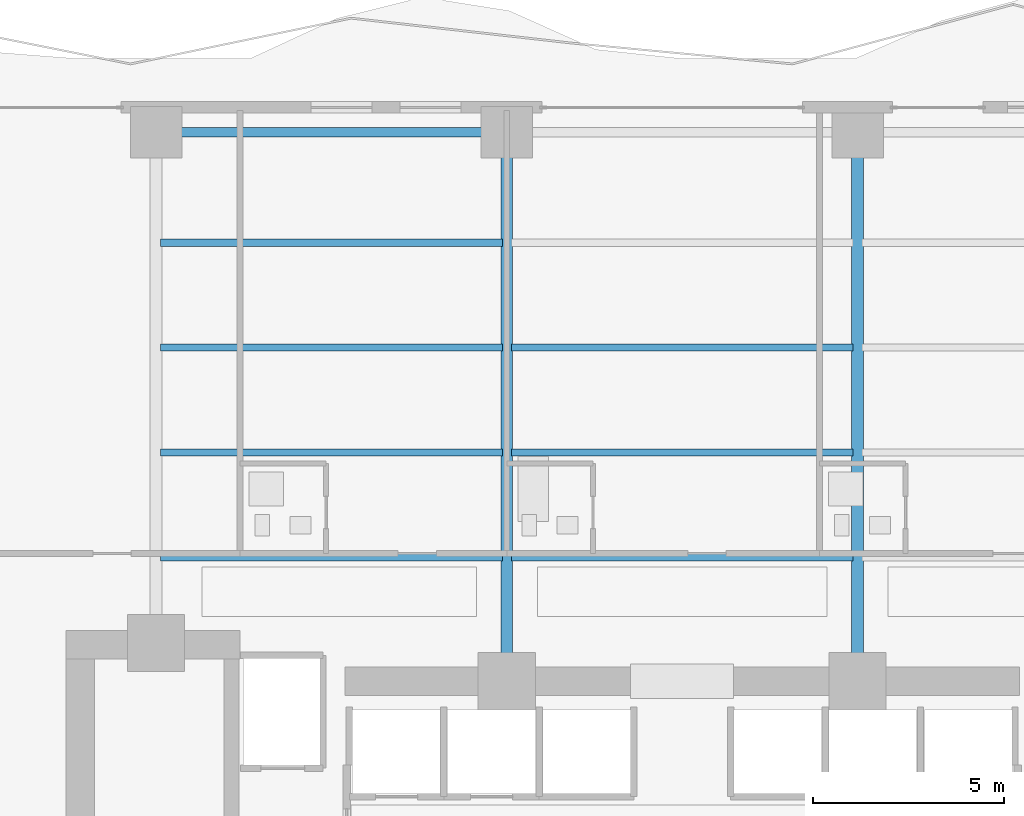
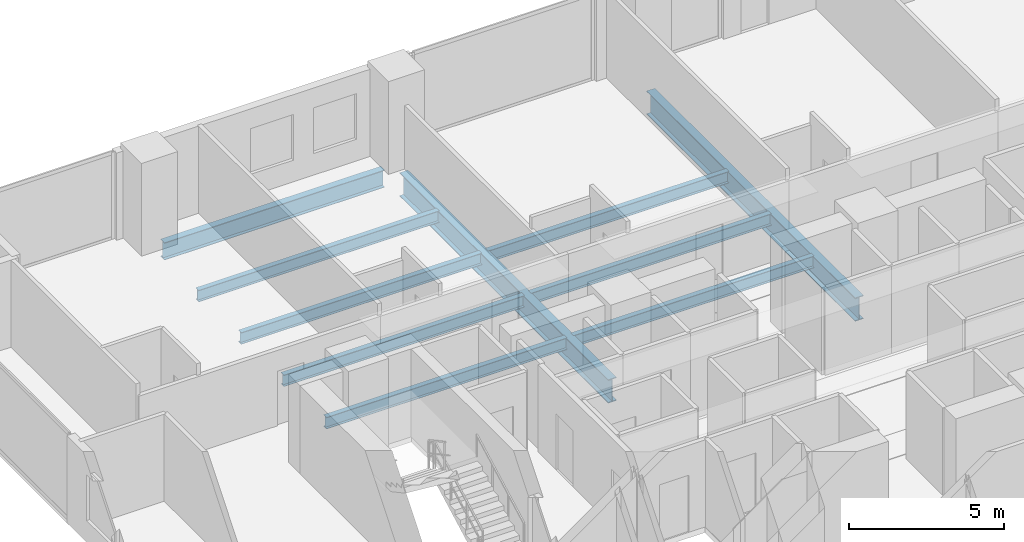
# One storey, part 15 of 27: 10 beams.
"""IFC4 building model written with IfcOpenShell, lengths in metres."""

from ifc_helpers import new_model, si_unit, direction, frame, origin, origin_2d, place, context, subcontext, project, spatial, i_section, extrude, material, material_profile, profile_set, type_object, element, save


model = new_model("IFC4")

# Units and contexts
model_context = context("Model", 3, precision=1e-05, world=origin(), true_north=direction((0.0, 1.0)))
body_context = subcontext(model_context, "Body", "Model", "MODEL_VIEW")
ifc_project = project(units=[si_unit("LENGTHUNIT", "METRE"), si_unit("AREAUNIT", "SQUARE_METRE"), si_unit("VOLUMEUNIT", "CUBIC_METRE"), si_unit("PLANEANGLEUNIT", "RADIAN"), si_unit("MASSUNIT", "GRAM", prefix="KILO")], contexts=[model_context])

# Site, building, storey
site_placement = place(None, origin())
site = spatial("IfcSite", under=ifc_project, at=site_placement, CompositionType="ELEMENT")
building_placement = place(site_placement, origin())
building = spatial("IfcBuilding", under=site, at=building_placement, Name="Zuhayl Quay Hotel", CompositionType="ELEMENT")
storey_placement = place(building_placement, frame((0.0, 0.0, 117.550048828125)))
storey = spatial("IfcBuildingStorey", under=building, at=storey_placement, Name="L29", CompositionType="ELEMENT", Elevation=117.550048828125)

# Beams
ifc_material = material(Name="Steel ASTM A992 Grade 50", Category="steel")
ifc_material_profile_1 = material_profile(ifc_material, i_section(OverallWidth=0.25390625, OverallDepth=0.68310546875, WebThickness=0.012451171875, FlangeThickness=0.018798828125, at=origin_2d()), Name="W27X94")
ifc_profile_set_1 = profile_set([ifc_material_profile_1], Name="Steel ASTM A992 Grade 50")
beam_type_1 = type_object("IfcBeamType", Name="BM_B2_W27X94", PredefinedType="BEAM", material=ifc_profile_set_1)
beam_placement = place(storey_placement, frame((-5.10009765625, 27.75, -0.5615234375), z_axis=(-1.0, 0.0, 0.0), x_axis=(0.0, -1.0, 0.0)))
element("IfcBeam", 1, at=beam_placement, inside=storey, type_object=beam_type_1, Name="L29 Floor Beam RG_L29_09", PredefinedType="BEAM", context=body_context, shape_type="SweptSolid", body=[
    extrude(i_section(OverallWidth=0.25390625, OverallDepth=0.68310546875, WebThickness=0.012451171875, FlangeThickness=0.018798828125, at=origin_2d()), origin(), (0.0, 0.0, 1.0), 8.199951171875),
])
ifc_material_profile_2 = material_profile(ifc_material, i_section(OverallWidth=0.18994140625, OverallDepth=0.45703125, WebThickness=0.009033203125, FlangeThickness=0.014404296875, at=origin_2d()), Name="W18X50")
ifc_profile_set_2 = profile_set([ifc_material_profile_2], Name="Steel ASTM A992 Grade 50")
beam_type_2 = type_object("IfcBeamType", Name="BM_J2_W18X50", PredefinedType="JOIST", material=ifc_profile_set_2)
for number, where, z_axis, x_axis, name in (
    (2, (-13.680908203125, 16.60009765625, -0.448486328125), (1.0, 0.0, 0.0), (0.0, 1.0, 0.0), "L29 Floor Beam FJ_L29_1_1"),
    (3, (-4.48095703125, 16.60009765625, -0.448486328125), (1.0, 0.0, 0.0), (0.0, 1.0, 0.0), "L29 Floor Beam FJ_L29_1_2"),
    (4, (-13.680908203125, 19.35009765625, -0.448486328125), (1.0, 0.0, 0.0), (0.0, 1.0, 0.0), "L29 Floor Beam FJ_L29_2_1"),
    (5, (-4.48095703125, 19.35009765625, -0.448486328125), (1.0, 0.0, 0.0), (0.0, 1.0, 0.0), "L29 Floor Beam FJ_L29_2_2"),
    (6, (-13.680908203125, 22.10009765625, -0.448486328125), (1.0, 0.0, 0.0), (0.0, 1.0, 0.0), "L29 Floor Beam FJ_L29_3_1"),
    (7, (-4.48095703125, 22.10009765625, -0.448486328125), (1.0, 0.0, 0.0), (0.0, 1.0, 0.0), "L29 Floor Beam FJ_L29_3_2"),
    (8, (-13.680908203125, 24.85009765625, -0.448486328125), (1.0, 0.0, 0.0), (0.0, 1.0, 0.0), "L29 Floor Beam FJ_L29_4_1"),
):
    element("IfcBeam", number, at=place(storey_placement, frame(where, z_axis=z_axis, x_axis=x_axis)), inside=storey, type_object=beam_type_2, Name=name, PredefinedType="JOIST", context=body_context, shape_type="SweptSolid", body=[
        extrude(i_section(OverallWidth=0.18994140625, OverallDepth=0.45703125, WebThickness=0.009033203125, FlangeThickness=0.014404296875, at=origin_2d()), origin(), (0.0, 0.0, 1.0), 8.9619140625),
    ])
ifc_material_profile_3 = material_profile(ifc_material, i_section(OverallWidth=0.306884765625, OverallDepth=0.927001953125, WebThickness=0.019287109375, FlangeThickness=0.031982421875, at=origin_2d()), Name="W36X194")
ifc_profile_set_3 = profile_set([ifc_material_profile_3], Name="Steel ASTM A992 Grade 50")
beam_type_3 = type_object("IfcBeamType", Name="BM_PG2_W36X194", PredefinedType="BEAM", material=ifc_profile_set_3)
for number, where, z_axis, x_axis, name in (
    (9, (-4.60009765625, 13.800048828125, -0.68359375), (0.0, 1.0, 0.0), (-1.0, 0.0, 0.0), "L29 Floor Beam FG_N_L29_2"),
    (10, (4.60009765625, 13.800048828125, -0.68359375), (0.0, 1.0, 0.0), (-1.0, 0.0, 0.0), "L29 Floor Beam FG_N_L29_3"),
):
    element("IfcBeam", number, at=place(storey_placement, frame(where, z_axis=z_axis, x_axis=x_axis)), inside=storey, type_object=beam_type_3, Name=name, PredefinedType="BEAM", context=body_context, shape_type="SweptSolid", body=[
        extrude(i_section(OverallWidth=0.306884765625, OverallDepth=0.927001953125, WebThickness=0.019287109375, FlangeThickness=0.031982421875, at=origin_2d()), origin(), (0.0, 0.0, 1.0), 13.449951171875),
    ])

save(model, "model.ifc")
